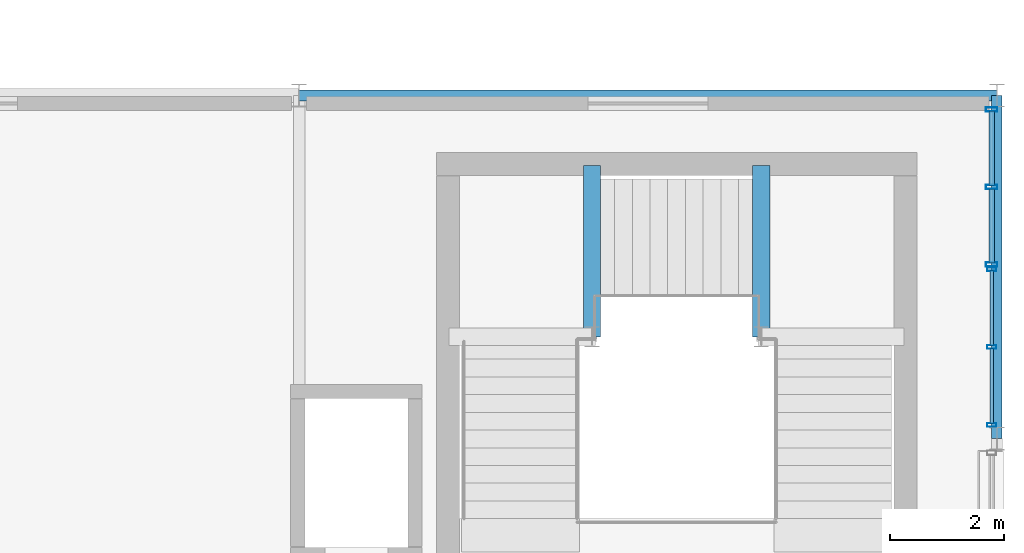
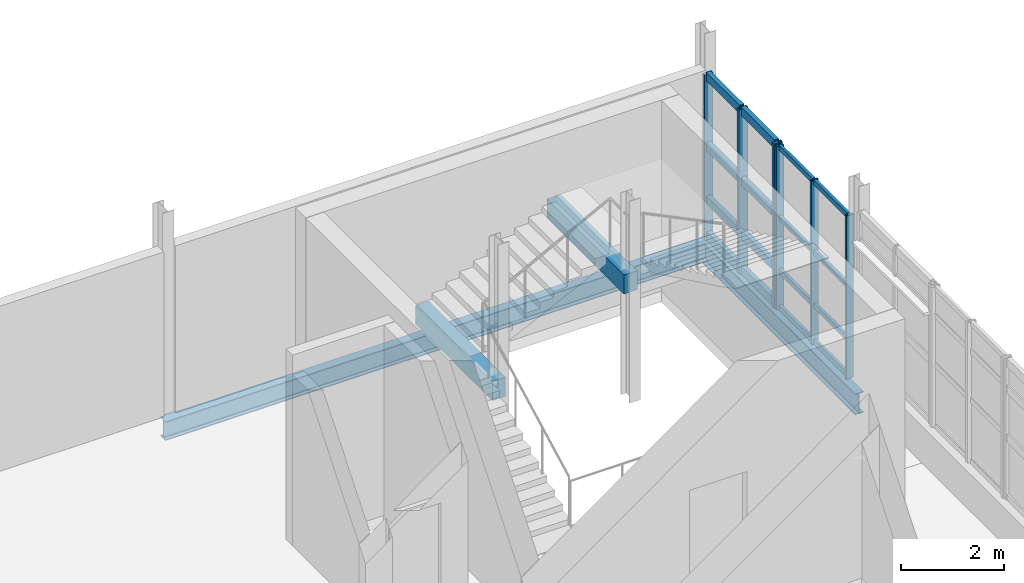
# One storey, part 57 of 100: 22 members, 4 beams, 2 elements without a shape of their own.
"""IFC4 building model written with IfcOpenShell, lengths in metres."""

from ifc_helpers import new_model, si_unit, derived_unit, direction, frame, origin, origin_2d, place, context, subcontext, project, spatial, rectangle, hollow_rectangle, i_section, extrude, material, layer, layer_set, material_profile, profile_set, type_object, element, aggregate, save


model = new_model("IFC4")

# Units and contexts
model_context = context("Model", 3, precision=1e-05, world=origin(), true_north=direction((0.0, 1.0)))
body_context = subcontext(model_context, "Body", "Model", "MODEL_VIEW")
ifc_project = project(units=[si_unit("LENGTHUNIT", "METRE"), si_unit("AREAUNIT", "SQUARE_METRE"), si_unit("VOLUMEUNIT", "CUBIC_METRE"), si_unit("PLANEANGLEUNIT", "RADIAN"), si_unit("MASSUNIT", "GRAM", prefix="KILO"), derived_unit("THERMALTRANSMITTANCEUNIT", [(si_unit("POWERUNIT", "WATT"), 1), (si_unit("LENGTHUNIT", "METRE"), -2), (si_unit("THERMODYNAMICTEMPERATUREUNIT", "KELVIN"), -1)])], contexts=[model_context])

# Site, building, storey
site_placement = place(None, origin())
site = spatial("IfcSite", under=ifc_project, at=site_placement, CompositionType="ELEMENT")
building_placement = place(site_placement, origin())
building = spatial("IfcBuilding", under=site, at=building_placement, Name="Nallur Shell Playhouse", CompositionType="ELEMENT")
storey_placement = place(building_placement, frame((0.0, 0.0, 10.199951171875)))
storey = spatial("IfcBuildingStorey", under=building, at=storey_placement, Name="L03", CompositionType="ELEMENT", Elevation=10.199951171875)

# Beams
ifc_material_1 = material(Name="Concrete M35", Category="concrete")
ifc_material_profile_1 = material_profile(ifc_material_1, rectangle(XDim=0.300048828125, YDim=0.449951171875, at=origin_2d()), Name="RC 300x450")
ifc_profile_set_1 = profile_set([ifc_material_profile_1], Name="Concrete M35")
beam_type_1 = type_object("IfcBeamType", Name="BM-SPN-300x450", PredefinedType="SPANDREL", material=ifc_profile_set_1)
for number, where, z_axis, x_axis, name in (
    (1, (152.719970703125, 51.780029296875, 1.22509765625), (0.0, 1.0, 0.0), (-1.0, 0.0, 0.0), "Stair ST-05-L03 L1 east bearer beam"),
    (2, (155.679931640625, 51.780029296875, 2.72509765625), (0.0, 1.0, 0.0), (-1.0, 0.0, 0.0), "Stair ST-05-L03 L2 west bearer beam"),
):
    element("IfcBeam", number, at=place(storey_placement, frame(where, z_axis=z_axis, x_axis=x_axis)), inside=storey, type_object=beam_type_1, Name=name, PredefinedType="SPANDREL", context=body_context, shape_type="SweptSolid", body=[
        extrude(rectangle(XDim=0.300048828125, YDim=0.449951171875, at=origin_2d()), origin(), (0.0, 0.0, 1.0), 3.0),
    ])
ifc_material_2 = material(Name="Steel E350", Category="steel")
ifc_material_profile_2 = material_profile(ifc_material_2, i_section(OverallWidth=0.179931640625, OverallDepth=0.5, WebThickness=0.01025390625, FlangeThickness=0.01708984375, FilletRadius=0.01708984375, at=origin_2d()), Name="ISMB 500")
ifc_profile_set_2 = profile_set([ifc_material_profile_2], Name="Steel E350")
beam_type_2 = type_object("IfcBeamType", Name="BM-ST-ISMB500", PredefinedType="BEAM", material=ifc_profile_set_2)
beam_1_placement = place(storey_placement, frame((159.800048828125, 50.0, -0.510009765625), z_axis=(0.0, 1.0, 0.0), x_axis=(-1.0, 0.0, 0.0)))
element("IfcBeam", 3, at=beam_1_placement, inside=storey, type_object=beam_type_2, Name="L03 girder Y-19-682", PredefinedType="BEAM", context=body_context, shape_type="SweptSolid", body=[
    extrude(i_section(OverallWidth=0.179931640625, OverallDepth=0.5, WebThickness=0.01025390625, FlangeThickness=0.01708984375, FilletRadius=0.01708984375, at=origin_2d()), origin(), (0.0, 0.0, 1.0), 6.0),
])
ifc_material_profile_3 = material_profile(ifc_material_2, i_section(OverallWidth=0.199951171875, OverallDepth=0.449951171875, WebThickness=0.00927734375, FlangeThickness=0.015380859375, FilletRadius=0.013916015625, at=origin_2d()), Name="ISWB 450")
ifc_profile_set_3 = profile_set([ifc_material_profile_3], Name="Steel E350")
beam_type_3 = type_object("IfcBeamType", Name="BM-ST-ISWB450", PredefinedType="BEAM", material=ifc_profile_set_3)
beam_2_placement = place(storey_placement, frame((147.60009765625, 56.0, -0.48486328125), z_axis=(1.0, 0.0, 0.0), x_axis=(0.0, 1.0, 0.0)))
element("IfcBeam", 4, at=beam_2_placement, inside=storey, type_object=beam_type_3, Name="L03 girder X-G-612", PredefinedType="BEAM", context=body_context, shape_type="SweptSolid", body=[
    extrude(i_section(OverallWidth=0.199951171875, OverallDepth=0.449951171875, WebThickness=0.00927734375, FlangeThickness=0.015380859375, FilletRadius=0.013916015625, at=origin_2d()), origin(), (0.0, 0.0, 1.0), 12.199951171875),
])

# Curtain wall, members
ifc_material_3 = material(Name="Anodised Aluminium Double-Glazed Facade System", Category="aluminium")
ifc_layer_1 = layer(ifc_material_3, 0.172119140625)
ifc_layer_set_1 = layer_set([ifc_layer_1], Name="Anodised Aluminium Double-Glazed Facade System")
curtain_wall_type_1 = type_object("IfcCurtainWallType", Name="CW-UNIT-15", PredefinedType="NOTDEFINED", material=ifc_layer_set_1)
curtain_wall_1_placement = place(storey_placement, origin())
curtain_wall_1 = element("IfcCurtainWall", 5, at=curtain_wall_1_placement, inside=storey, type_object=curtain_wall_type_1, Name="Unitised curtain wall CW-079 (L03)", PredefinedType="NOTDEFINED")
ifc_material_4 = material(Name="Aluminium Alloy 6063-T6 Mullion", Category="aluminium")
ifc_material_profile_4 = material_profile(ifc_material_4, hollow_rectangle(XDim=0.06494140625, YDim=0.159912109375, WallThickness=0.00390625, at=origin_2d()), Name="ALU 65x160x4")
ifc_profile_set_4 = profile_set([ifc_material_profile_4], Name="Aluminium Alloy 6063-T6 Mullion")
member_type_1 = type_object("IfcMemberType", Name="MB-CW-MUL160", PredefinedType="MULLION", material=ifc_profile_set_4)
member_1_placement = place(storey_placement, frame((159.7099609375, 52.96240234375, -0.014892578125), z_axis=(0.0, 0.0, 1.0), x_axis=(0.0, -1.0, 0.0)))
member_1 = element("IfcMember", 6, at=member_1_placement, type_object=member_type_1, Name="CW-15 mullion 1", PredefinedType="MULLION", context=body_context, shape_type="SweptSolid", body=[
    extrude(hollow_rectangle(XDim=0.06494140625, YDim=0.159912109375, WallThickness=0.00390625, at=origin_2d()), origin(), (0.0, 0.0, 1.0), 3.884033203125),
])
member_2_placement = place(storey_placement, frame((159.7099609375, 51.6015625, -0.014892578125), z_axis=(0.0, 0.0, 1.0), x_axis=(0.0, -1.0, 0.0)))
member_2 = element("IfcMember", 7, at=member_2_placement, type_object=member_type_1, Name="CW-15 mullion 2", PredefinedType="MULLION", context=body_context, shape_type="SweptSolid", body=[
    extrude(hollow_rectangle(XDim=0.06494140625, YDim=0.159912109375, WallThickness=0.00390625, at=origin_2d()), origin(), (0.0, 0.0, 1.0), 3.884033203125),
])
member_3_placement = place(storey_placement, frame((159.7099609375, 50.240478515625, -0.014892578125), z_axis=(0.0, 0.0, 1.0), x_axis=(0.0, -1.0, 0.0)))
member_3 = element("IfcMember", 8, at=member_3_placement, type_object=member_type_1, Name="CW-15 mullion 3", PredefinedType="MULLION", context=body_context, shape_type="SweptSolid", body=[
    extrude(hollow_rectangle(XDim=0.06494140625, YDim=0.159912109375, WallThickness=0.00390625, at=origin_2d()), origin(), (0.0, 0.0, 1.0), 3.884033203125),
])

ifc_layer_2 = layer(ifc_material_3, 0.16796875)
ifc_layer_set_2 = layer_set([ifc_layer_2], Name="Anodised Aluminium Double-Glazed Facade System")
curtain_wall_type_2 = type_object("IfcCurtainWallType", Name="CW-UNIT-14", PredefinedType="NOTDEFINED", material=ifc_layer_set_2)
curtain_wall_2_placement = place(storey_placement, origin())
curtain_wall_2 = element("IfcCurtainWall", 9, at=curtain_wall_2_placement, inside=storey, type_object=curtain_wall_type_2, Name="Unitised curtain wall CW-078 (L03)", PredefinedType="NOTDEFINED")
ifc_material_profile_5 = material_profile(ifc_material_4, hollow_rectangle(XDim=0.074951171875, YDim=0.199951171875, WallThickness=0.0048828125, at=origin_2d()), Name="ALU 75x200x5")
ifc_profile_set_5 = profile_set([ifc_material_profile_5], Name="Aluminium Alloy 6063-T6 Mullion")
member_type_2 = type_object("IfcMemberType", Name="MB-CW-MUL180", PredefinedType="MULLION", material=ifc_profile_set_5)
member_4_placement = place(storey_placement, frame((159.7099609375, 55.75439453125, -0.014892578125), z_axis=(0.0, 0.0, 1.0), x_axis=(0.0, -1.0, 0.0)))
member_4 = element("IfcMember", 10, at=member_4_placement, type_object=member_type_2, Name="CW-14 mullion 1", PredefinedType="MULLION", context=body_context, shape_type="SweptSolid", body=[
    extrude(hollow_rectangle(XDim=0.074951171875, YDim=0.199951171875, WallThickness=0.0048828125, at=origin_2d()), origin(), (0.0, 0.0, 1.0), 3.904052734375),
])
member_5_placement = place(storey_placement, frame((159.7099609375, 54.3984375, -0.014892578125), z_axis=(0.0, 0.0, 1.0), x_axis=(0.0, -1.0, 0.0)))
member_5 = element("IfcMember", 11, at=member_5_placement, type_object=member_type_2, Name="CW-14 mullion 2", PredefinedType="MULLION", context=body_context, shape_type="SweptSolid", body=[
    extrude(hollow_rectangle(XDim=0.074951171875, YDim=0.199951171875, WallThickness=0.0048828125, at=origin_2d()), origin(), (0.0, 0.0, 1.0), 3.904052734375),
])
member_6_placement = place(storey_placement, frame((159.7099609375, 53.04248046875, -0.014892578125), z_axis=(0.0, 0.0, 1.0), x_axis=(0.0, -1.0, 0.0)))
member_6 = element("IfcMember", 12, at=member_6_placement, type_object=member_type_2, Name="CW-14 mullion 3", PredefinedType="MULLION", context=body_context, shape_type="SweptSolid", body=[
    extrude(hollow_rectangle(XDim=0.074951171875, YDim=0.199951171875, WallThickness=0.0048828125, at=origin_2d()), origin(), (0.0, 0.0, 1.0), 3.904052734375),
])

# Member
ifc_material_5 = material(Name="Aluminium Alloy 6063-T6 Transom", Category="aluminium")
ifc_material_profile_6 = material_profile(ifc_material_5, hollow_rectangle(XDim=0.06494140625, YDim=0.1201171875, WallThickness=0.00390625, at=origin_2d()), Name="ALU 65x120x4")
ifc_profile_set_6 = profile_set([ifc_material_profile_6], Name="Aluminium Alloy 6063-T6 Transom")
member_type_3 = type_object("IfcMemberType", Name="MB-CW-TRN120", PredefinedType="USERDEFINED", material=ifc_profile_set_6)
member_7_placement = place(storey_placement, frame((159.7099609375, 52.93798828125, 0.032470703125), z_axis=(0.0, -1.0, 0.0), x_axis=(1.0, 0.0, 0.0)))
member_7 = element("IfcMember", 13, at=member_7_placement, type_object=member_type_3, Name="CW-15 transom 1.1", ObjectType="TRANSOM", PredefinedType="USERDEFINED", context=body_context, shape_type="SweptSolid", body=[
    extrude(hollow_rectangle(XDim=0.06494140625, YDim=0.1201171875, WallThickness=0.00390625, at=origin_2d()), origin(), (0.0, 0.0, 1.0), 1.31201171875),
])

member_8_placement = place(storey_placement, frame((159.7099609375, 52.93798828125, 0.900146484375), z_axis=(0.0, -1.0, 0.0), x_axis=(1.0, 0.0, 0.0)))
member_8 = element("IfcMember", 14, at=member_8_placement, type_object=member_type_3, Name="CW-15 transom 1.2", ObjectType="TRANSOM", PredefinedType="USERDEFINED", context=body_context, shape_type="SweptSolid", body=[
    extrude(hollow_rectangle(XDim=0.06494140625, YDim=0.1201171875, WallThickness=0.00390625, at=origin_2d()), origin(), (0.0, 0.0, 1.0), 1.31201171875),
])

member_9_placement = place(storey_placement, frame((159.7099609375, 52.93798828125, 2.1640625), z_axis=(0.0, -1.0, 0.0), x_axis=(1.0, 0.0, 0.0)))
member_9 = element("IfcMember", 15, at=member_9_placement, type_object=member_type_3, Name="CW-15 transom 1.3", ObjectType="TRANSOM", PredefinedType="USERDEFINED", context=body_context, shape_type="SweptSolid", body=[
    extrude(hollow_rectangle(XDim=0.06494140625, YDim=0.1201171875, WallThickness=0.00390625, at=origin_2d()), origin(), (0.0, 0.0, 1.0), 1.31201171875),
])

member_10_placement = place(storey_placement, frame((159.7099609375, 52.93798828125, 3.83251953125), z_axis=(0.0, -1.0, 0.0), x_axis=(1.0, 0.0, 0.0)))
member_10 = element("IfcMember", 16, at=member_10_placement, type_object=member_type_3, Name="CW-15 transom 1.4", ObjectType="TRANSOM", PredefinedType="USERDEFINED", context=body_context, shape_type="SweptSolid", body=[
    extrude(hollow_rectangle(XDim=0.06494140625, YDim=0.1201171875, WallThickness=0.00390625, at=origin_2d()), origin(), (0.0, 0.0, 1.0), 1.31201171875),
])

member_11_placement = place(storey_placement, frame((159.7099609375, 51.576904296875, 0.032470703125), z_axis=(0.0, -1.0, 0.0), x_axis=(1.0, 0.0, 0.0)))
member_11 = element("IfcMember", 17, at=member_11_placement, type_object=member_type_3, Name="CW-15 transom 2.1", ObjectType="TRANSOM", PredefinedType="USERDEFINED", context=body_context, shape_type="SweptSolid", body=[
    extrude(hollow_rectangle(XDim=0.06494140625, YDim=0.1201171875, WallThickness=0.00390625, at=origin_2d()), origin(), (0.0, 0.0, 1.0), 1.31201171875),
])

member_12_placement = place(storey_placement, frame((159.7099609375, 51.576904296875, 0.900146484375), z_axis=(0.0, -1.0, 0.0), x_axis=(1.0, 0.0, 0.0)))
member_12 = element("IfcMember", 18, at=member_12_placement, type_object=member_type_3, Name="CW-15 transom 2.2", ObjectType="TRANSOM", PredefinedType="USERDEFINED", context=body_context, shape_type="SweptSolid", body=[
    extrude(hollow_rectangle(XDim=0.06494140625, YDim=0.1201171875, WallThickness=0.00390625, at=origin_2d()), origin(), (0.0, 0.0, 1.0), 1.31201171875),
])

member_13_placement = place(storey_placement, frame((159.7099609375, 51.576904296875, 2.1640625), z_axis=(0.0, -1.0, 0.0), x_axis=(1.0, 0.0, 0.0)))
member_13 = element("IfcMember", 19, at=member_13_placement, type_object=member_type_3, Name="CW-15 transom 2.3", ObjectType="TRANSOM", PredefinedType="USERDEFINED", context=body_context, shape_type="SweptSolid", body=[
    extrude(hollow_rectangle(XDim=0.06494140625, YDim=0.1201171875, WallThickness=0.00390625, at=origin_2d()), origin(), (0.0, 0.0, 1.0), 1.31201171875),
])

member_14_placement = place(storey_placement, frame((159.7099609375, 51.576904296875, 3.83251953125), z_axis=(0.0, -1.0, 0.0), x_axis=(1.0, 0.0, 0.0)))
member_14 = element("IfcMember", 20, at=member_14_placement, type_object=member_type_3, Name="CW-15 transom 2.4", ObjectType="TRANSOM", PredefinedType="USERDEFINED", context=body_context, shape_type="SweptSolid", body=[
    extrude(hollow_rectangle(XDim=0.06494140625, YDim=0.1201171875, WallThickness=0.00390625, at=origin_2d()), origin(), (0.0, 0.0, 1.0), 1.31201171875),
])

aggregate(curtain_wall_1, [member_1, member_2, member_3, member_7, member_8, member_9, member_10, member_11, member_12, member_13, member_14])

ifc_material_profile_7 = material_profile(ifc_material_5, hollow_rectangle(XDim=0.10009765625, YDim=0.199951171875, WallThickness=0.008056640625, at=origin_2d()), Name="RHS 200x100x8")
ifc_profile_set_7 = profile_set([ifc_material_profile_7], Name="Aluminium Alloy 6063-T6 Transom")
member_type_4 = type_object("IfcMemberType", Name="MB-CW-TRN140", PredefinedType="USERDEFINED", material=ifc_profile_set_7)
member_15_placement = place(storey_placement, frame((159.7099609375, 55.72509765625, 0.050048828125), z_axis=(0.0, -1.0, 0.0), x_axis=(1.0, 0.0, 0.0)))
member_15 = element("IfcMember", 21, at=member_15_placement, type_object=member_type_4, Name="CW-14 transom 1.1", ObjectType="TRANSOM", PredefinedType="USERDEFINED", context=body_context, shape_type="SweptSolid", body=[
    extrude(hollow_rectangle(XDim=0.10009765625, YDim=0.199951171875, WallThickness=0.008056640625, at=origin_2d()), origin(), (0.0, 0.0, 1.0), 1.297119140625),
])

member_16_placement = place(storey_placement, frame((159.7099609375, 55.72509765625, 0.900146484375), z_axis=(0.0, -1.0, 0.0), x_axis=(1.0, 0.0, 0.0)))
member_16 = element("IfcMember", 22, at=member_16_placement, type_object=member_type_4, Name="CW-14 transom 1.2", ObjectType="TRANSOM", PredefinedType="USERDEFINED", context=body_context, shape_type="SweptSolid", body=[
    extrude(hollow_rectangle(XDim=0.10009765625, YDim=0.199951171875, WallThickness=0.008056640625, at=origin_2d()), origin(), (0.0, 0.0, 1.0), 1.297119140625),
])

member_17_placement = place(storey_placement, frame((159.7099609375, 55.72509765625, 2.176025390625), z_axis=(0.0, -1.0, 0.0), x_axis=(1.0, 0.0, 0.0)))
member_17 = element("IfcMember", 23, at=member_17_placement, type_object=member_type_4, Name="CW-14 transom 1.3", ObjectType="TRANSOM", PredefinedType="USERDEFINED", context=body_context, shape_type="SweptSolid", body=[
    extrude(hollow_rectangle(XDim=0.10009765625, YDim=0.199951171875, WallThickness=0.008056640625, at=origin_2d()), origin(), (0.0, 0.0, 1.0), 1.297119140625),
])

member_18_placement = place(storey_placement, frame((159.7099609375, 55.72509765625, 3.8349609375), z_axis=(0.0, -1.0, 0.0), x_axis=(1.0, 0.0, 0.0)))
member_18 = element("IfcMember", 24, at=member_18_placement, type_object=member_type_4, Name="CW-14 transom 1.4", ObjectType="TRANSOM", PredefinedType="USERDEFINED", context=body_context, shape_type="SweptSolid", body=[
    extrude(hollow_rectangle(XDim=0.10009765625, YDim=0.199951171875, WallThickness=0.008056640625, at=origin_2d()), origin(), (0.0, 0.0, 1.0), 1.297119140625),
])

member_19_placement = place(storey_placement, frame((159.7099609375, 54.368896484375, 0.050048828125), z_axis=(0.0, -1.0, 0.0), x_axis=(1.0, 0.0, 0.0)))
member_19 = element("IfcMember", 25, at=member_19_placement, type_object=member_type_4, Name="CW-14 transom 2.1", ObjectType="TRANSOM", PredefinedType="USERDEFINED", context=body_context, shape_type="SweptSolid", body=[
    extrude(hollow_rectangle(XDim=0.10009765625, YDim=0.199951171875, WallThickness=0.008056640625, at=origin_2d()), origin(), (0.0, 0.0, 1.0), 1.296875),
])

member_20_placement = place(storey_placement, frame((159.7099609375, 54.368896484375, 0.900146484375), z_axis=(0.0, -1.0, 0.0), x_axis=(1.0, 0.0, 0.0)))
member_20 = element("IfcMember", 26, at=member_20_placement, type_object=member_type_4, Name="CW-14 transom 2.2", ObjectType="TRANSOM", PredefinedType="USERDEFINED", context=body_context, shape_type="SweptSolid", body=[
    extrude(hollow_rectangle(XDim=0.10009765625, YDim=0.199951171875, WallThickness=0.008056640625, at=origin_2d()), origin(), (0.0, 0.0, 1.0), 1.296875),
])

member_21_placement = place(storey_placement, frame((159.7099609375, 54.368896484375, 2.176025390625), z_axis=(0.0, -1.0, 0.0), x_axis=(1.0, 0.0, 0.0)))
member_21 = element("IfcMember", 27, at=member_21_placement, type_object=member_type_4, Name="CW-14 transom 2.3", ObjectType="TRANSOM", PredefinedType="USERDEFINED", context=body_context, shape_type="SweptSolid", body=[
    extrude(hollow_rectangle(XDim=0.10009765625, YDim=0.199951171875, WallThickness=0.008056640625, at=origin_2d()), origin(), (0.0, 0.0, 1.0), 1.296875),
])

member_22_placement = place(storey_placement, frame((159.7099609375, 54.368896484375, 3.8349609375), z_axis=(0.0, -1.0, 0.0), x_axis=(1.0, 0.0, 0.0)))
member_22 = element("IfcMember", 28, at=member_22_placement, type_object=member_type_4, Name="CW-14 transom 2.4", ObjectType="TRANSOM", PredefinedType="USERDEFINED", context=body_context, shape_type="SweptSolid", body=[
    extrude(hollow_rectangle(XDim=0.10009765625, YDim=0.199951171875, WallThickness=0.008056640625, at=origin_2d()), origin(), (0.0, 0.0, 1.0), 1.296875),
])

aggregate(curtain_wall_2, [member_4, member_5, member_6, member_15, member_16, member_17, member_18, member_19, member_20, member_21, member_22])

save(model, "model.ifc")
